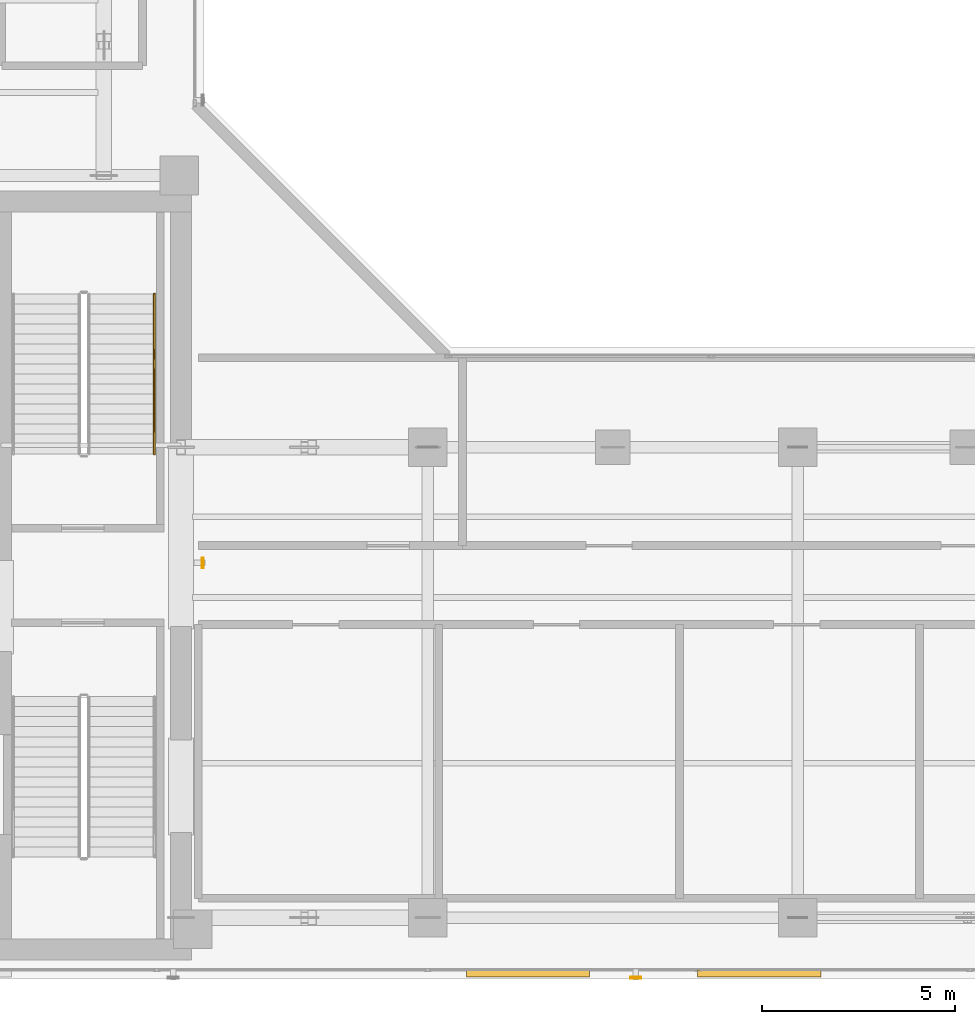
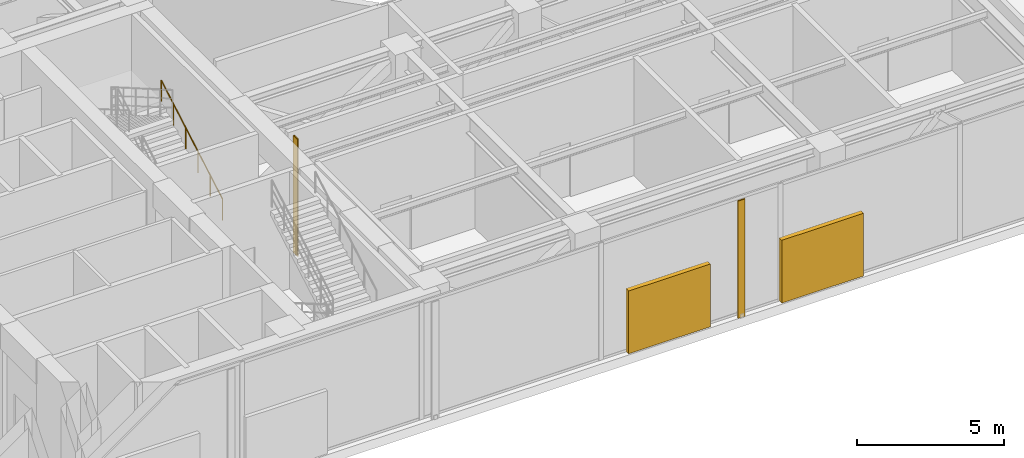
# One storey, part 30 of 31: 4 shading devices, 1 railing.
"""IFC4 building model written with IfcOpenShell, lengths in metres."""

from ifc_helpers import new_model, si_unit, direction, frame, origin, origin_with_axes, origin_2d, place, context, subcontext, project, spatial, rectangle, hollow_rectangle, circle, extrude, source, transform, mapped, material, material_profile, profile_set, type_object, element, save


model = new_model("IFC4")

# Units and contexts
model_context = context("Model", 3, precision=1e-05, world=origin(), true_north=direction((0.0, 1.0)))
body_context = subcontext(model_context, "Body", "Model", "MODEL_VIEW")
ifc_project = project(units=[si_unit("LENGTHUNIT", "METRE"), si_unit("AREAUNIT", "SQUARE_METRE"), si_unit("VOLUMEUNIT", "CUBIC_METRE"), si_unit("PLANEANGLEUNIT", "RADIAN"), si_unit("MASSUNIT", "GRAM", prefix="KILO")], contexts=[model_context])

# Site, building, storey
site_placement = place(None, origin())
site = spatial("IfcSite", under=ifc_project, at=site_placement, CompositionType="ELEMENT")
building_placement = place(site_placement, origin())
building = spatial("IfcBuilding", under=site, at=building_placement, Name="Kolvaren Waterfront Exchange", CompositionType="ELEMENT")
storey_placement = place(building_placement, frame((0.0, 0.0, 257.699951171875)))
storey = spatial("IfcBuildingStorey", under=building, at=storey_placement, Name="L66", CompositionType="ELEMENT", Elevation=257.699951171875)

# Shading devices
ifc_material_1 = material(Name="Anodised bronze aluminium 6063-T6", Category="aluminium")
ifc_material_profile = material_profile(ifc_material_1, hollow_rectangle(XDim=0.054931640625, YDim=0.280029296875, WallThickness=0.00439453125, at=origin_2d()), Name="BRZ-FIN-280x55x4.5")
ifc_profile_set = profile_set([ifc_material_profile], Name="Anodised bronze aluminium 6063-T6")
shading_device_type_1 = type_object("IfcShadingDeviceType", Name="ARC-FIN-280", PredefinedType="USERDEFINED", material=ifc_profile_set)
for number, where, z_axis, x_axis, name in (
    (1, (32.60009765625, 3.639892578125, 0.0), (0.0, 0.0, 1.0), (0.0, -1.0, 0.0), "L66 anodised bronze solar shading fin FIN-L66-S3"),
    (2, (21.360107421875, 14.39990234375, 0.0), (0.0, 0.0, 1.0), (1.0, 0.0, 0.0), "L66 anodised bronze solar shading fin FIN-L66-E1"),
):
    element("IfcShadingDevice", number, at=place(storey_placement, frame(where, z_axis=z_axis, x_axis=x_axis)), inside=storey, type_object=shading_device_type_1, Name=name, ObjectType="SOLAR FIN", PredefinedType="USERDEFINED", context=body_context, shape_type="SweptSolid", body=[
        extrude(hollow_rectangle(XDim=0.054931640625, YDim=0.280029296875, WallThickness=0.00439453125, at=origin_2d()), origin(), (0.0, 0.0, 1.0), 4.860107421875),
    ])

# Railing
ifc_material_2 = material(Name="Stainless steel 316", Category="steel")
railing_type = type_object("IfcRailingType", Name="ARC-HANDRAIL-900", PredefinedType="HANDRAIL", material=ifc_material_2)
railing_placement = place(storey_placement, frame((20.110107421875, 17.219970703125, 0.150146484375)))
element("IfcRailing", 3, at=railing_placement, inside=storey, type_object=railing_type, Name="L66 ST2 stair handrail 1", PredefinedType="HANDRAIL", context=body_context, shape_type="SweptSolid", body=[
    extrude(circle(Radius=0.02392578125, at=origin_2d()), frame((0.0, 0.0, 0.8759765625), z_axis=(0.0, 0.866189817626, 0.499715118684), x_axis=(-1.0, 0.0, 0.0)), (0.0, 0.0, 1.0), 4.802490234375),
    extrude(circle(Radius=0.02099609375, at=origin_2d()), origin(), (0.0, 0.0, 1.0), 0.851806640625),
    extrude(circle(Radius=0.02099609375, at=origin_2d()), frame((0.0, 0.83203125, 0.47998046875)), (0.0, 0.0, 1.0), 0.851806640625),
    extrude(circle(Radius=0.02099609375, at=origin_2d()), frame((0.0, 1.6640625, 0.9599609375)), (0.0, 0.0, 1.0), 0.851806640625),
    extrude(circle(Radius=0.02099609375, at=origin_2d()), frame((0.0, 2.495849609375, 1.43994140625)), (0.0, 0.0, 1.0), 0.851806640625),
    extrude(circle(Radius=0.02099609375, at=origin_2d()), frame((0.0, 3.327880859375, 1.919921875)), (0.0, 0.0, 1.0), 0.851806640625),
    extrude(circle(Radius=0.02099609375, at=origin_2d()), frame((0.0, 4.159912109375, 2.39990234375)), (0.0, 0.0, 1.0), 0.851806640625),
])

# Shading devices
shading_device_type_2 = type_object("IfcShadingDeviceType", Name="ARC-SHD-LOUVRE", PredefinedType="USERDEFINED", material=ifc_material_1)
shared_shape = source(origin_with_axes(), body_context, "Body", "SweptSolid", [
    extrude(rectangle(XDim=3.199951171875, YDim=0.179931640625, at=origin_2d()), origin(), (0.0, 0.0, 1.0), 2.60009765625),
])
for number, where, z_axis, x_axis, name in (
    (4, (29.800048828125, 3.75, 0.0), (0.0, 0.0, 1.0), (1.0, 0.0, 0.0), "L66 acoustic weather intake louvre 3"),
    (5, (35.800048828125, 3.75, 0.0), (0.0, 0.0, 1.0), (1.0, 0.0, 0.0), "L66 acoustic weather intake louvre 4"),
):
    element("IfcShadingDevice", number, at=place(storey_placement, frame(where, z_axis=z_axis, x_axis=x_axis)), inside=storey, type_object=shading_device_type_2, Name=name, ObjectType="LOUVRE", PredefinedType="USERDEFINED", context=body_context, shape_type="MappedRepresentation", body=[
        mapped(shared_shape, transform((0.0, 0.0, 0.0), x_axis=(1.0, 0.0, 0.0), y_axis=(0.0, 1.0, 0.0), z_axis=(0.0, 0.0, 1.0), scale=1.0)),
    ])

save(model, "model.ifc")
